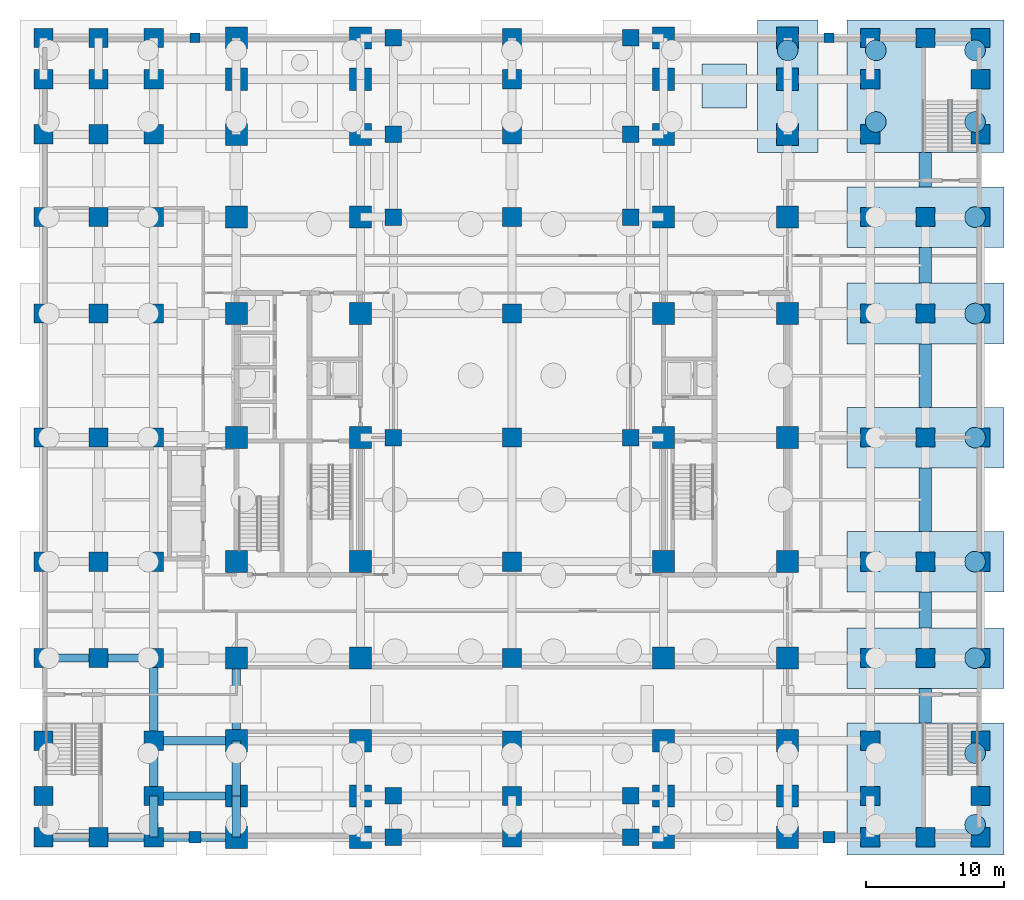
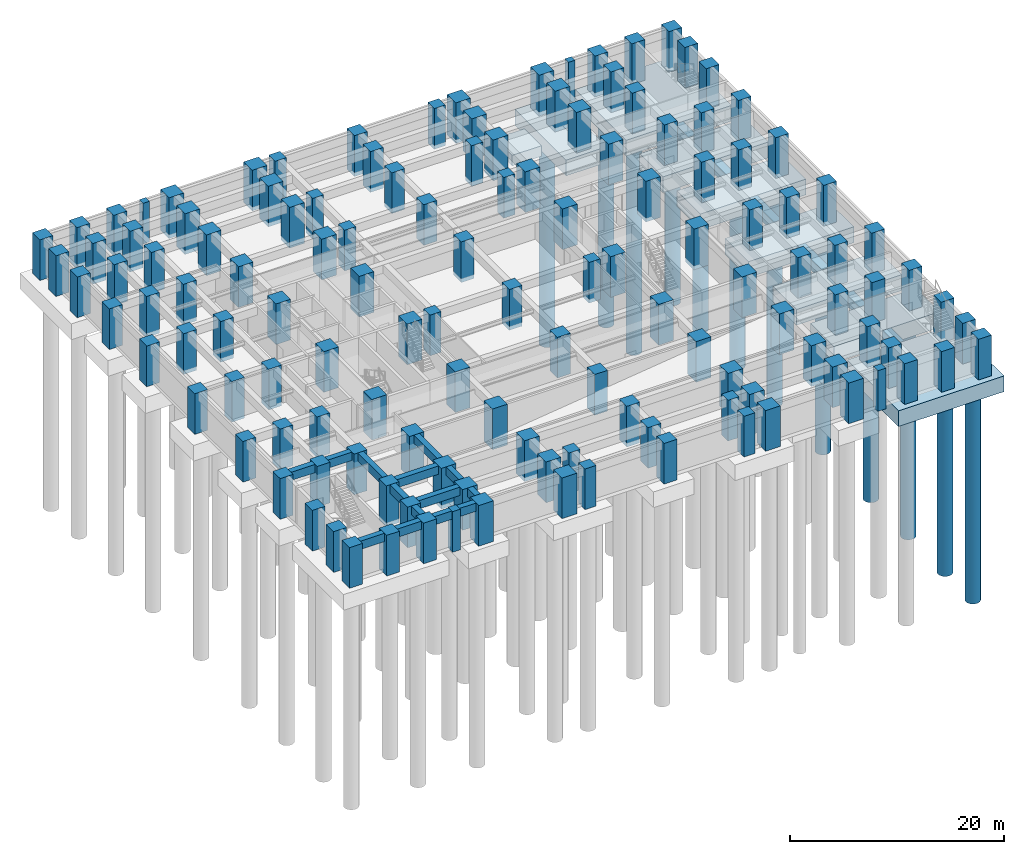
# One storey, part 2 of 16: 131 columns, 15 footings, 13 beams, 12 piles.
"""IFC4 building model written with IfcOpenShell, lengths in metres."""

from ifc_helpers import new_model, si_unit, direction, frame, origin, origin_2d, place, context, subcontext, project, spatial, polyline, rectangle, circle, outline, extrude, material, material_profile, profile_set, type_object, element, save


model = new_model("IFC4")

# Units and contexts
model_context = context("Model", 3, precision=1e-05, world=origin(), true_north=direction((0.0, 1.0)))
body_context = subcontext(model_context, "Body", "Model", "MODEL_VIEW")
ifc_project = project(units=[si_unit("LENGTHUNIT", "METRE"), si_unit("AREAUNIT", "SQUARE_METRE"), si_unit("VOLUMEUNIT", "CUBIC_METRE"), si_unit("PLANEANGLEUNIT", "RADIAN"), si_unit("MASSUNIT", "GRAM", prefix="KILO")], contexts=[model_context])

# Site, building, storey
site_placement = place(None, origin())
site = spatial("IfcSite", under=ifc_project, at=site_placement, CompositionType="ELEMENT")
building_placement = place(site_placement, origin())
building = spatial("IfcBuilding", under=site, at=building_placement, Name="Zulmaris Gate Convention Tower", CompositionType="ELEMENT")
storey_placement = place(building_placement, frame((0.0, 0.0, -9.10009765625)))
storey = spatial("IfcBuildingStorey", under=building, at=storey_placement, Name="B2", CompositionType="ELEMENT", Elevation=-9.10009765625)

# Footings
ifc_material_1 = material(Name="Concrete C50/60", Category="concrete")
ifc_material_profile_1 = material_profile(ifc_material_1, rectangle(XDim=0.89990234375, YDim=1.199951171875, at=origin_2d()), Name="RC TIE 900x1200")
ifc_profile_set_1 = profile_set([ifc_material_profile_1], Name="Concrete C50/60")
footing_type_1 = type_object("IfcFootingType", Name="FT-GB-900x1200", PredefinedType="FOOTING_BEAM", material=ifc_profile_set_1)
footing_1_placement = place(storey_placement, frame((30.0, -20.699951171875, -1.0498046875), z_axis=(0.0, 1.0, 0.0), x_axis=(-1.0, 0.0, 0.0)))
element("IfcFooting", 1, at=footing_1_placement, inside=storey, type_object=footing_type_1, Name="Ground Tie Beam 07", PredefinedType="FOOTING_BEAM", context=body_context, shape_type="SweptSolid", body=[
    extrude(rectangle(XDim=0.89990234375, YDim=1.199951171875, at=origin_2d()), origin(), (0.0, 0.0, 1.0), 2.5),
])
footing_2_placement = place(storey_placement, frame((30.0, -13.800048828125, -1.0498046875), z_axis=(0.0, 1.0, 0.0), x_axis=(-1.0, 0.0, 0.0)))
element("IfcFooting", 2, at=footing_2_placement, inside=storey, type_object=footing_type_1, Name="Ground Tie Beam 08", PredefinedType="FOOTING_BEAM", context=body_context, shape_type="SweptSolid", body=[
    extrude(rectangle(XDim=0.89990234375, YDim=1.199951171875, at=origin_2d()), origin(), (0.0, 0.0, 1.0), 2.60009765625),
])
for number, where, z_axis, x_axis, name in (
    (3, (30.0, -6.800048828125, -1.0498046875), (0.0, 1.0, 0.0), (-1.0, 0.0, 0.0), "Ground Tie Beam 09"),
    (4, (30.0, 2.199951171875, -1.0498046875), (0.0, 1.0, 0.0), (-1.0, 0.0, 0.0), "Ground Tie Beam 10"),
):
    element("IfcFooting", number, at=place(storey_placement, frame(where, z_axis=z_axis, x_axis=x_axis)), inside=storey, type_object=footing_type_1, Name=name, PredefinedType="FOOTING_BEAM", context=body_context, shape_type="SweptSolid", body=[
        extrude(rectangle(XDim=0.89990234375, YDim=1.199951171875, at=origin_2d()), origin(), (0.0, 0.0, 1.0), 4.60009765625),
    ])
footing_3_placement = place(storey_placement, frame((30.0, 11.199951171875, -1.0498046875), z_axis=(0.0, 1.0, 0.0), x_axis=(-1.0, 0.0, 0.0)))
element("IfcFooting", 5, at=footing_3_placement, inside=storey, type_object=footing_type_1, Name="Ground Tie Beam 11", PredefinedType="FOOTING_BEAM", context=body_context, shape_type="SweptSolid", body=[
    extrude(rectangle(XDim=0.89990234375, YDim=1.199951171875, at=origin_2d()), origin(), (0.0, 0.0, 1.0), 2.60009765625),
])
footing_4_placement = place(storey_placement, frame((30.0, 18.199951171875, -1.0498046875), z_axis=(0.0, 1.0, 0.0), x_axis=(-1.0, 0.0, 0.0)))
element("IfcFooting", 6, at=footing_4_placement, inside=storey, type_object=footing_type_1, Name="Ground Tie Beam 12", PredefinedType="FOOTING_BEAM", context=body_context, shape_type="SweptSolid", body=[
    extrude(rectangle(XDim=0.89990234375, YDim=1.199951171875, at=origin_2d()), origin(), (0.0, 0.0, 1.0), 2.5),
])
footing_type_2 = type_object("IfcFootingType", Name="FT-PC-A", PredefinedType="PILE_CAP", material=ifc_material_1)
footing_5_placement = place(storey_placement, frame((0.0, 0.0, -2.25)))
element("IfcFooting", 7, at=footing_5_placement, inside=storey, type_object=footing_type_2, Name="Perimeter Pile Cap FT-PC-E1", PredefinedType="PILE_CAP", context=body_context, shape_type="SweptSolid", body=[
    extrude(outline(polyline([(24.300048828125, -18.199951171875), (35.699951171875, -18.199951171875), (35.699951171875, -13.800048828125), (24.300048828125, -13.800048828125), (24.300048828125, -18.199951171875)])), origin(), (0.0, 0.0, 1.0), 1.800048828125),
])
footing_6_placement = place(storey_placement, frame((0.0, 0.0, -2.25)))
element("IfcFooting", 8, at=footing_6_placement, inside=storey, type_object=footing_type_2, Name="Perimeter Pile Cap FT-PC-E2", PredefinedType="PILE_CAP", context=body_context, shape_type="SweptSolid", body=[
    extrude(outline(polyline([(24.300048828125, -11.199951171875), (35.699951171875, -11.199951171875), (35.699951171875, -6.800048828125), (24.300048828125, -6.800048828125), (24.300048828125, -11.199951171875)])), origin(), (0.0, 0.0, 1.0), 1.800048828125),
])
footing_7_placement = place(storey_placement, frame((0.0, 0.0, -2.25)))
element("IfcFooting", 9, at=footing_7_placement, inside=storey, type_object=footing_type_2, Name="Perimeter Pile Cap FT-PC-E3", PredefinedType="PILE_CAP", context=body_context, shape_type="SweptSolid", body=[
    extrude(outline(polyline([(24.300048828125, -2.199951171875), (35.699951171875, -2.199951171875), (35.699951171875, 2.199951171875), (24.300048828125, 2.199951171875), (24.300048828125, -2.199951171875)])), origin(), (0.0, 0.0, 1.0), 1.800048828125),
])
footing_8_placement = place(storey_placement, frame((0.0, 0.0, -2.25)))
element("IfcFooting", 10, at=footing_8_placement, inside=storey, type_object=footing_type_2, Name="Perimeter Pile Cap FT-PC-E4", PredefinedType="PILE_CAP", context=body_context, shape_type="SweptSolid", body=[
    extrude(outline(polyline([(24.300048828125, 6.800048828125), (35.699951171875, 6.800048828125), (35.699951171875, 11.199951171875), (24.300048828125, 11.199951171875), (24.300048828125, 6.800048828125)])), origin(), (0.0, 0.0, 1.0), 1.800048828125),
])
footing_9_placement = place(storey_placement, frame((0.0, 0.0, -2.25)))
element("IfcFooting", 11, at=footing_9_placement, inside=storey, type_object=footing_type_2, Name="Perimeter Pile Cap FT-PC-E5", PredefinedType="PILE_CAP", context=body_context, shape_type="SweptSolid", body=[
    extrude(outline(polyline([(24.300048828125, 13.800048828125), (35.699951171875, 13.800048828125), (35.699951171875, 18.199951171875), (24.300048828125, 18.199951171875), (24.300048828125, 13.800048828125)])), origin(), (0.0, 0.0, 1.0), 1.800048828125),
])
footing_type_3 = type_object("IfcFootingType", Name="FT-PC-B", PredefinedType="PILE_CAP", material=ifc_material_1)
footing_10_placement = place(storey_placement, frame((0.0, 0.0, -2.25)))
element("IfcFooting", 12, at=footing_10_placement, inside=storey, type_object=footing_type_3, Name="Perimeter Pile Cap FT-PC-N5", PredefinedType="PILE_CAP", context=body_context, shape_type="SweptSolid", body=[
    extrude(outline(polyline([(17.800048828125, 20.699951171875), (22.199951171875, 20.699951171875), (22.199951171875, 30.300048828125), (17.800048828125, 30.300048828125), (17.800048828125, 20.699951171875)])), origin(), (0.0, 0.0, 1.0), 1.800048828125),
])
footing_type_4 = type_object("IfcFootingType", Name="FT-PC-CRN", PredefinedType="PILE_CAP", material=ifc_material_1)
footing_11_placement = place(storey_placement, frame((0.0, 0.0, -2.25)))
element("IfcFooting", 13, at=footing_11_placement, inside=storey, type_object=footing_type_4, Name="Perimeter Pile Cap FT-PC-ES", PredefinedType="PILE_CAP", context=body_context, shape_type="SweptSolid", body=[
    extrude(outline(polyline([(24.300048828125, -30.300048828125), (35.699951171875, -30.300048828125), (35.699951171875, -20.699951171875), (24.300048828125, -20.699951171875), (24.300048828125, -30.300048828125)])), origin(), (0.0, 0.0, 1.0), 1.800048828125),
])
footing_12_placement = place(storey_placement, frame((0.0, 0.0, -2.25)))
element("IfcFooting", 14, at=footing_12_placement, inside=storey, type_object=footing_type_4, Name="Perimeter Pile Cap FT-PC-EN", PredefinedType="PILE_CAP", context=body_context, shape_type="SweptSolid", body=[
    extrude(outline(polyline([(24.300048828125, 20.699951171875), (35.699951171875, 20.699951171875), (35.699951171875, 30.300048828125), (24.300048828125, 30.300048828125), (24.300048828125, 20.699951171875)])), origin(), (0.0, 0.0, 1.0), 1.800048828125),
])
footing_type_5 = type_object("IfcFootingType", Name="FT-PF-A", PredefinedType="PAD_FOOTING", material=ifc_material_1)
footing_13_placement = place(storey_placement, frame((0.0, 0.0, -1.64990234375)))
element("IfcFooting", 15, at=footing_13_placement, inside=storey, type_object=footing_type_5, Name="Isolated Pad Footing FT-PAD-02", PredefinedType="PAD_FOOTING", context=body_context, shape_type="SweptSolid", body=[
    extrude(outline(polyline([(13.800048828125, 23.89990234375), (17.0, 23.89990234375), (17.0, 27.10009765625), (13.800048828125, 27.10009765625), (13.800048828125, 23.89990234375)])), origin(), (0.0, 0.0, 1.0), 1.199951171875),
])

# Piles
ifc_material_profile_2 = material_profile(ifc_material_1, circle(Radius=0.75, at=origin_2d()), Name="BORED PILE 1500")
ifc_profile_set_2 = profile_set([ifc_material_profile_2], Name="Concrete C50/60")
pile_type = type_object("IfcPileType", Name="PL-BP1500", PredefinedType="BORED", material=ifc_profile_set_2)
for number, where, z_axis, x_axis, name in (
    (16, (33.60009765625, -28.10009765625, -2.14990234375), (0.0, 0.0, -1.0), (1.0, 0.0, 0.0), "Cap Bored Pile FT-PC-ES-P2"),
    (17, (33.60009765625, -22.89990234375, -2.14990234375), (0.0, 0.0, -1.0), (1.0, 0.0, 0.0), "Cap Bored Pile FT-PC-ES-P4"),
    (18, (26.39990234375, 22.89990234375, -2.14990234375), (0.0, 0.0, -1.0), (1.0, 0.0, 0.0), "Cap Bored Pile FT-PC-EN-P1"),
    (19, (33.60009765625, 22.89990234375, -2.14990234375), (0.0, 0.0, -1.0), (1.0, 0.0, 0.0), "Cap Bored Pile FT-PC-EN-P2"),
    (20, (26.39990234375, 28.10009765625, -2.14990234375), (0.0, 0.0, -1.0), (1.0, 0.0, 0.0), "Cap Bored Pile FT-PC-EN-P3"),
    (21, (33.60009765625, 28.10009765625, -2.14990234375), (0.0, 0.0, -1.0), (1.0, 0.0, 0.0), "Cap Bored Pile FT-PC-EN-P4"),
    (22, (33.60009765625, -16.0, -2.14990234375), (0.0, 0.0, -1.0), (1.0, 0.0, 0.0), "Cap Bored Pile FT-PC-E1-P2"),
    (23, (33.60009765625, -9.0, -2.14990234375), (0.0, 0.0, -1.0), (1.0, 0.0, 0.0), "Cap Bored Pile FT-PC-E2-P2"),
    (24, (33.60009765625, 0.0, -2.14990234375), (0.0, 0.0, -1.0), (1.0, 0.0, 0.0), "Cap Bored Pile FT-PC-E3-P2"),
    (25, (33.60009765625, 9.0, -2.14990234375), (0.0, 0.0, -1.0), (1.0, 0.0, 0.0), "Cap Bored Pile FT-PC-E4-P2"),
    (26, (33.60009765625, 16.0, -2.14990234375), (0.0, 0.0, -1.0), (1.0, 0.0, 0.0), "Cap Bored Pile FT-PC-E5-P2"),
    (27, (20.0, 28.10009765625, -2.14990234375), (0.0, 0.0, -1.0), (1.0, 0.0, 0.0), "Cap Bored Pile FT-PC-N5-P2"),
):
    element("IfcPile", number, at=place(storey_placement, frame(where, z_axis=z_axis, x_axis=x_axis)), inside=storey, type_object=pile_type, Name=name, PredefinedType="BORED", context=body_context, shape_type="SweptSolid", body=[
        extrude(circle(Radius=0.75, at=origin_2d()), origin(), (0.0, 0.0, 1.0), 24.449951171875),
    ])

# Columns
ifc_material_2 = material(Name="Concrete C70/85", Category="concrete")
ifc_material_profile_3 = material_profile(ifc_material_2, rectangle(XDim=1.199951171875, YDim=1.199951171875, at=origin_2d()), Name="RC COL 1200x1200")
ifc_profile_set_3 = profile_set([ifc_material_profile_3], Name="Concrete C70/85")
column_type_1 = type_object("IfcColumnType", Name="COL-RC1200", PredefinedType="COLUMN", material=ifc_profile_set_3)
for number, where, z_axis, x_axis, name in (
    (28, (-8.60009765625, -29.0, -0.449951171875), (0.0, 0.0, 1.0), (1.0, 0.0, 0.0), "B2 Column AR--8.6_-29.0"),
    (29, (8.60009765625, -29.0, -0.449951171875), (0.0, 0.0, 1.0), (1.0, 0.0, 0.0), "B2 Column AR-+8.6_-29.0"),
    (30, (-8.60009765625, -26.0, -0.449951171875), (0.0, 0.0, 1.0), (1.0, 0.0, 0.0), "B2 Column AR--8.6_-26.0"),
    (31, (8.60009765625, -26.0, -0.449951171875), (0.0, 0.0, 1.0), (1.0, 0.0, 0.0), "B2 Column AR-+8.6_-26.0"),
    (32, (-8.60009765625, 0.0, -0.449951171875), (0.0, 0.0, 1.0), (1.0, 0.0, 0.0), "B2 Column AR--8.6_+0.0"),
    (33, (8.60009765625, 0.0, -0.449951171875), (0.0, 0.0, 1.0), (1.0, 0.0, 0.0), "B2 Column AR-+8.6_+0.0"),
    (34, (-8.60009765625, 16.0, -0.449951171875), (0.0, 0.0, 1.0), (1.0, 0.0, 0.0), "B2 Column AR--8.6_+16.0"),
    (35, (8.60009765625, 16.0, -0.449951171875), (0.0, 0.0, 1.0), (1.0, 0.0, 0.0), "B2 Column AR-+8.6_+16.0"),
    (36, (-8.60009765625, 22.0, -0.449951171875), (0.0, 0.0, 1.0), (1.0, 0.0, 0.0), "B2 Column AR--8.6_+22.0"),
    (37, (8.60009765625, 22.0, -0.449951171875), (0.0, 0.0, 1.0), (1.0, 0.0, 0.0), "B2 Column AR-+8.6_+22.0"),
    (38, (-8.60009765625, 29.0, -0.449951171875), (0.0, 0.0, 1.0), (1.0, 0.0, 0.0), "B2 Column AR--8.6_+29.0"),
    (39, (8.60009765625, 29.0, -0.449951171875), (0.0, 0.0, 1.0), (1.0, 0.0, 0.0), "B2 Column AR-+8.6_+29.0"),
):
    element("IfcColumn", number, at=place(storey_placement, frame(where, z_axis=z_axis, x_axis=x_axis)), inside=storey, type_object=column_type_1, Name=name, PredefinedType="COLUMN", context=body_context, shape_type="SweptSolid", body=[
        extrude(rectangle(XDim=1.199951171875, YDim=1.199951171875, at=origin_2d()), origin(), (0.0, 0.0, 1.0), 4.650146484375),
    ])
ifc_material_3 = material(Name="Concrete C80/95", Category="concrete")
ifc_material_profile_4 = material_profile(ifc_material_3, rectangle(XDim=1.39990234375, YDim=1.39990234375, at=origin_2d()), Name="RC COL 1400x1400")
ifc_profile_set_4 = profile_set([ifc_material_profile_4], Name="Concrete C80/95")
column_type_2 = type_object("IfcColumnType", Name="COL-RC1400", PredefinedType="COLUMN", material=ifc_profile_set_4)
for number, where, z_axis, x_axis, name in (
    (40, (-34.0, -29.0, -0.449951171875), (0.0, 0.0, 1.0), (1.0, 0.0, 0.0), "B2 Column G--34.0_-29.0"),
    (41, (-34.0, -26.0, -0.449951171875), (0.0, 0.0, 1.0), (1.0, 0.0, 0.0), "B2 Column G--34.0_-26.0"),
    (42, (-34.0, -22.0, -0.449951171875), (0.0, 0.0, 1.0), (1.0, 0.0, 0.0), "B2 Column G--34.0_-22.0"),
    (43, (-34.0, -16.0, -0.449951171875), (0.0, 0.0, 1.0), (1.0, 0.0, 0.0), "B2 Column G--34.0_-16.0"),
    (44, (-34.0, -9.0, -0.449951171875), (0.0, 0.0, 1.0), (1.0, 0.0, 0.0), "B2 Column G--34.0_-9.0"),
    (45, (-34.0, 0.0, -0.449951171875), (0.0, 0.0, 1.0), (1.0, 0.0, 0.0), "B2 Column G--34.0_+0.0"),
    (46, (-34.0, 9.0, -0.449951171875), (0.0, 0.0, 1.0), (1.0, 0.0, 0.0), "B2 Column G--34.0_+9.0"),
    (47, (-34.0, 16.0, -0.449951171875), (0.0, 0.0, 1.0), (1.0, 0.0, 0.0), "B2 Column G--34.0_+16.0"),
    (48, (-34.0, 22.0, -0.449951171875), (0.0, 0.0, 1.0), (1.0, 0.0, 0.0), "B2 Column G--34.0_+22.0"),
    (49, (-34.0, 26.0, -0.449951171875), (0.0, 0.0, 1.0), (1.0, 0.0, 0.0), "B2 Column G--34.0_+26.0"),
    (50, (-34.0, 29.0, -0.449951171875), (0.0, 0.0, 1.0), (1.0, 0.0, 0.0), "B2 Column G--34.0_+29.0"),
    (51, (-30.0, -29.0, -0.449951171875), (0.0, 0.0, 1.0), (1.0, 0.0, 0.0), "B2 Column G--30.0_-29.0"),
    (52, (-30.0, -16.0, -0.449951171875), (0.0, 0.0, 1.0), (1.0, 0.0, 0.0), "B2 Column G--30.0_-16.0"),
    (53, (-30.0, -9.0, -0.449951171875), (0.0, 0.0, 1.0), (1.0, 0.0, 0.0), "B2 Column G--30.0_-9.0"),
    (54, (-30.0, 0.0, -0.449951171875), (0.0, 0.0, 1.0), (1.0, 0.0, 0.0), "B2 Column G--30.0_+0.0"),
    (55, (-30.0, 9.0, -0.449951171875), (0.0, 0.0, 1.0), (1.0, 0.0, 0.0), "B2 Column G--30.0_+9.0"),
    (56, (-30.0, 16.0, -0.449951171875), (0.0, 0.0, 1.0), (1.0, 0.0, 0.0), "B2 Column G--30.0_+16.0"),
    (57, (-30.0, 22.0, -0.449951171875), (0.0, 0.0, 1.0), (1.0, 0.0, 0.0), "B2 Column G--30.0_+22.0"),
    (58, (-30.0, 26.0, -0.449951171875), (0.0, 0.0, 1.0), (1.0, 0.0, 0.0), "B2 Column G--30.0_+26.0"),
    (59, (-30.0, 29.0, -0.449951171875), (0.0, 0.0, 1.0), (1.0, 0.0, 0.0), "B2 Column G--30.0_+29.0"),
    (60, (-26.0, -29.0, -0.449951171875), (0.0, 0.0, 1.0), (1.0, 0.0, 0.0), "B2 Column G--26.0_-29.0"),
    (61, (-26.0, -26.0, -0.449951171875), (0.0, 0.0, 1.0), (1.0, 0.0, 0.0), "B2 Column G--26.0_-26.0"),
    (62, (-26.0, -22.0, -0.449951171875), (0.0, 0.0, 1.0), (1.0, 0.0, 0.0), "B2 Column G--26.0_-22.0"),
    (63, (-26.0, -16.0, -0.449951171875), (0.0, 0.0, 1.0), (1.0, 0.0, 0.0), "B2 Column G--26.0_-16.0"),
    (64, (-26.0, -9.0, -0.449951171875), (0.0, 0.0, 1.0), (1.0, 0.0, 0.0), "B2 Column G--26.0_-9.0"),
    (65, (-26.0, 0.0, -0.449951171875), (0.0, 0.0, 1.0), (1.0, 0.0, 0.0), "B2 Column G--26.0_+0.0"),
    (66, (-26.0, 9.0, -0.449951171875), (0.0, 0.0, 1.0), (1.0, 0.0, 0.0), "B2 Column G--26.0_+9.0"),
    (67, (-26.0, 16.0, -0.449951171875), (0.0, 0.0, 1.0), (1.0, 0.0, 0.0), "B2 Column G--26.0_+16.0"),
    (68, (-26.0, 22.0, -0.449951171875), (0.0, 0.0, 1.0), (1.0, 0.0, 0.0), "B2 Column G--26.0_+22.0"),
    (69, (-26.0, 26.0, -0.449951171875), (0.0, 0.0, 1.0), (1.0, 0.0, 0.0), "B2 Column G--26.0_+26.0"),
    (70, (-26.0, 29.0, -0.449951171875), (0.0, 0.0, 1.0), (1.0, 0.0, 0.0), "B2 Column G--26.0_+29.0"),
    (71, (0.0, -29.0, -0.449951171875), (0.0, 0.0, 1.0), (1.0, 0.0, 0.0), "B2 Column G-+0.0_-29.0"),
    (72, (0.0, -26.0, -0.449951171875), (0.0, 0.0, 1.0), (1.0, 0.0, 0.0), "B2 Column G-+0.0_-26.0"),
    (73, (0.0, -22.0, -0.449951171875), (0.0, 0.0, 1.0), (1.0, 0.0, 0.0), "B2 Column G-+0.0_-22.0"),
    (74, (0.0, -16.0, -0.449951171875), (0.0, 0.0, 1.0), (1.0, 0.0, 0.0), "B2 Column G-+0.0_-16.0"),
    (75, (0.0, -9.0, -0.449951171875), (0.0, 0.0, 1.0), (1.0, 0.0, 0.0), "B2 Column G-+0.0_-9.0"),
    (76, (0.0, 0.0, -0.449951171875), (0.0, 0.0, 1.0), (1.0, 0.0, 0.0), "B2 Column G-+0.0_+0.0"),
    (77, (0.0, 9.0, -0.449951171875), (0.0, 0.0, 1.0), (1.0, 0.0, 0.0), "B2 Column G-+0.0_+9.0"),
    (78, (0.0, 16.0, -0.449951171875), (0.0, 0.0, 1.0), (1.0, 0.0, 0.0), "B2 Column G-+0.0_+16.0"),
    (79, (0.0, 22.0, -0.449951171875), (0.0, 0.0, 1.0), (1.0, 0.0, 0.0), "B2 Column G-+0.0_+22.0"),
    (80, (0.0, 26.0, -0.449951171875), (0.0, 0.0, 1.0), (1.0, 0.0, 0.0), "B2 Column G-+0.0_+26.0"),
    (81, (0.0, 29.0, -0.449951171875), (0.0, 0.0, 1.0), (1.0, 0.0, 0.0), "B2 Column G-+0.0_+29.0"),
    (82, (26.0, -29.0, -0.449951171875), (0.0, 0.0, 1.0), (1.0, 0.0, 0.0), "B2 Column G-+26.0_-29.0"),
    (83, (26.0, -26.0, -0.449951171875), (0.0, 0.0, 1.0), (1.0, 0.0, 0.0), "B2 Column G-+26.0_-26.0"),
    (84, (26.0, -22.0, -0.449951171875), (0.0, 0.0, 1.0), (1.0, 0.0, 0.0), "B2 Column G-+26.0_-22.0"),
    (85, (26.0, -16.0, -0.449951171875), (0.0, 0.0, 1.0), (1.0, 0.0, 0.0), "B2 Column G-+26.0_-16.0"),
    (86, (26.0, -9.0, -0.449951171875), (0.0, 0.0, 1.0), (1.0, 0.0, 0.0), "B2 Column G-+26.0_-9.0"),
    (87, (26.0, 0.0, -0.449951171875), (0.0, 0.0, 1.0), (1.0, 0.0, 0.0), "B2 Column G-+26.0_+0.0"),
    (88, (26.0, 9.0, -0.449951171875), (0.0, 0.0, 1.0), (1.0, 0.0, 0.0), "B2 Column G-+26.0_+9.0"),
    (89, (26.0, 16.0, -0.449951171875), (0.0, 0.0, 1.0), (1.0, 0.0, 0.0), "B2 Column G-+26.0_+16.0"),
    (90, (26.0, 22.0, -0.449951171875), (0.0, 0.0, 1.0), (1.0, 0.0, 0.0), "B2 Column G-+26.0_+22.0"),
    (91, (26.0, 26.0, -0.449951171875), (0.0, 0.0, 1.0), (1.0, 0.0, 0.0), "B2 Column G-+26.0_+26.0"),
    (92, (26.0, 29.0, -0.449951171875), (0.0, 0.0, 1.0), (1.0, 0.0, 0.0), "B2 Column G-+26.0_+29.0"),
    (93, (30.0, -29.0, -0.449951171875), (0.0, 0.0, 1.0), (1.0, 0.0, 0.0), "B2 Column G-+30.0_-29.0"),
    (94, (30.0, -16.0, -0.449951171875), (0.0, 0.0, 1.0), (1.0, 0.0, 0.0), "B2 Column G-+30.0_-16.0"),
    (95, (30.0, -9.0, -0.449951171875), (0.0, 0.0, 1.0), (1.0, 0.0, 0.0), "B2 Column G-+30.0_-9.0"),
    (96, (30.0, 0.0, -0.449951171875), (0.0, 0.0, 1.0), (1.0, 0.0, 0.0), "B2 Column G-+30.0_+0.0"),
    (97, (30.0, 9.0, -0.449951171875), (0.0, 0.0, 1.0), (1.0, 0.0, 0.0), "B2 Column G-+30.0_+9.0"),
    (98, (30.0, 16.0, -0.449951171875), (0.0, 0.0, 1.0), (1.0, 0.0, 0.0), "B2 Column G-+30.0_+16.0"),
    (99, (30.0, 29.0, -0.449951171875), (0.0, 0.0, 1.0), (1.0, 0.0, 0.0), "B2 Column G-+30.0_+29.0"),
    (100, (34.0, -29.0, -0.449951171875), (0.0, 0.0, 1.0), (1.0, 0.0, 0.0), "B2 Column G-+34.0_-29.0"),
    (101, (34.0, -26.0, -0.449951171875), (0.0, 0.0, 1.0), (1.0, 0.0, 0.0), "B2 Column G-+34.0_-26.0"),
    (102, (34.0, -22.0, -0.449951171875), (0.0, 0.0, 1.0), (1.0, 0.0, 0.0), "B2 Column G-+34.0_-22.0"),
    (103, (34.0, -16.0, -0.449951171875), (0.0, 0.0, 1.0), (1.0, 0.0, 0.0), "B2 Column G-+34.0_-16.0"),
    (104, (34.0, -9.0, -0.449951171875), (0.0, 0.0, 1.0), (1.0, 0.0, 0.0), "B2 Column G-+34.0_-9.0"),
    (105, (34.0, 0.0, -0.449951171875), (0.0, 0.0, 1.0), (1.0, 0.0, 0.0), "B2 Column G-+34.0_+0.0"),
    (106, (34.0, 9.0, -0.449951171875), (0.0, 0.0, 1.0), (1.0, 0.0, 0.0), "B2 Column G-+34.0_+9.0"),
    (107, (34.0, 16.0, -0.449951171875), (0.0, 0.0, 1.0), (1.0, 0.0, 0.0), "B2 Column G-+34.0_+16.0"),
    (108, (34.0, 22.0, -0.449951171875), (0.0, 0.0, 1.0), (1.0, 0.0, 0.0), "B2 Column G-+34.0_+22.0"),
    (109, (34.0, 26.0, -0.449951171875), (0.0, 0.0, 1.0), (1.0, 0.0, 0.0), "B2 Column G-+34.0_+26.0"),
    (110, (34.0, 29.0, -0.449951171875), (0.0, 0.0, 1.0), (1.0, 0.0, 0.0), "B2 Column G-+34.0_+29.0"),
):
    element("IfcColumn", number, at=place(storey_placement, frame(where, z_axis=z_axis, x_axis=x_axis)), inside=storey, type_object=column_type_2, Name=name, PredefinedType="COLUMN", context=body_context, shape_type="SweptSolid", body=[
        extrude(rectangle(XDim=1.39990234375, YDim=1.39990234375, at=origin_2d()), origin(), (0.0, 0.0, 1.0), 4.650146484375),
    ])
ifc_material_profile_5 = material_profile(ifc_material_3, rectangle(XDim=1.60009765625, YDim=1.60009765625, at=origin_2d()), Name="RC COL 1600x1600")
ifc_profile_set_5 = profile_set([ifc_material_profile_5], Name="Concrete C80/95")
column_type_3 = type_object("IfcColumnType", Name="COL-RC1600", PredefinedType="COLUMN", material=ifc_profile_set_5)
for number, where, z_axis, x_axis, name in (
    (111, (-20.0, -29.0, -0.449951171875), (0.0, 0.0, 1.0), (1.0, 0.0, 0.0), "B2 Column G--20.0_-29.0"),
    (112, (-20.0, -26.0, -0.449951171875), (0.0, 0.0, 1.0), (1.0, 0.0, 0.0), "B2 Column G--20.0_-26.0"),
    (113, (-20.0, -22.0, -0.449951171875), (0.0, 0.0, 1.0), (1.0, 0.0, 0.0), "B2 Column G--20.0_-22.0"),
    (114, (-20.0, -16.0, -0.449951171875), (0.0, 0.0, 1.0), (1.0, 0.0, 0.0), "B2 Column G--20.0_-16.0"),
    (115, (-20.0, -9.0, -0.449951171875), (0.0, 0.0, 1.0), (1.0, 0.0, 0.0), "B2 Column G--20.0_-9.0"),
    (116, (-20.0, 0.0, -0.449951171875), (0.0, 0.0, 1.0), (1.0, 0.0, 0.0), "B2 Column G--20.0_+0.0"),
    (117, (-20.0, 9.0, -0.449951171875), (0.0, 0.0, 1.0), (1.0, 0.0, 0.0), "B2 Column G--20.0_+9.0"),
    (118, (-20.0, 16.0, -0.449951171875), (0.0, 0.0, 1.0), (1.0, 0.0, 0.0), "B2 Column G--20.0_+16.0"),
    (119, (-20.0, 22.0, -0.449951171875), (0.0, 0.0, 1.0), (1.0, 0.0, 0.0), "B2 Column G--20.0_+22.0"),
    (120, (-20.0, 26.0, -0.449951171875), (0.0, 0.0, 1.0), (1.0, 0.0, 0.0), "B2 Column G--20.0_+26.0"),
    (121, (-20.0, 29.0, -0.449951171875), (0.0, 0.0, 1.0), (1.0, 0.0, 0.0), "B2 Column G--20.0_+29.0"),
    (122, (-11.0, -29.0, -0.449951171875), (0.0, 0.0, 1.0), (1.0, 0.0, 0.0), "B2 Column G--11.0_-29.0"),
    (123, (-11.0, -26.0, -0.449951171875), (0.0, 0.0, 1.0), (1.0, 0.0, 0.0), "B2 Column G--11.0_-26.0"),
    (124, (-11.0, -22.0, -0.449951171875), (0.0, 0.0, 1.0), (1.0, 0.0, 0.0), "B2 Column G--11.0_-22.0"),
    (125, (-11.0, -16.0, -0.449951171875), (0.0, 0.0, 1.0), (1.0, 0.0, 0.0), "B2 Column G--11.0_-16.0"),
    (126, (-11.0, -9.0, -0.449951171875), (0.0, 0.0, 1.0), (1.0, 0.0, 0.0), "B2 Column G--11.0_-9.0"),
    (127, (-11.0, 0.0, -0.449951171875), (0.0, 0.0, 1.0), (1.0, 0.0, 0.0), "B2 Column G--11.0_+0.0"),
    (128, (-11.0, 9.0, -0.449951171875), (0.0, 0.0, 1.0), (1.0, 0.0, 0.0), "B2 Column G--11.0_+9.0"),
    (129, (-11.0, 16.0, -0.449951171875), (0.0, 0.0, 1.0), (1.0, 0.0, 0.0), "B2 Column G--11.0_+16.0"),
    (130, (-11.0, 22.0, -0.449951171875), (0.0, 0.0, 1.0), (1.0, 0.0, 0.0), "B2 Column G--11.0_+22.0"),
    (131, (-11.0, 26.0, -0.449951171875), (0.0, 0.0, 1.0), (1.0, 0.0, 0.0), "B2 Column G--11.0_+26.0"),
    (132, (-11.0, 29.0, -0.449951171875), (0.0, 0.0, 1.0), (1.0, 0.0, 0.0), "B2 Column G--11.0_+29.0"),
    (133, (11.0, -29.0, -0.449951171875), (0.0, 0.0, 1.0), (1.0, 0.0, 0.0), "B2 Column G-+11.0_-29.0"),
    (134, (11.0, -26.0, -0.449951171875), (0.0, 0.0, 1.0), (1.0, 0.0, 0.0), "B2 Column G-+11.0_-26.0"),
    (135, (11.0, -22.0, -0.449951171875), (0.0, 0.0, 1.0), (1.0, 0.0, 0.0), "B2 Column G-+11.0_-22.0"),
    (136, (11.0, -16.0, -0.449951171875), (0.0, 0.0, 1.0), (1.0, 0.0, 0.0), "B2 Column G-+11.0_-16.0"),
    (137, (11.0, -9.0, -0.449951171875), (0.0, 0.0, 1.0), (1.0, 0.0, 0.0), "B2 Column G-+11.0_-9.0"),
    (138, (11.0, 0.0, -0.449951171875), (0.0, 0.0, 1.0), (1.0, 0.0, 0.0), "B2 Column G-+11.0_+0.0"),
    (139, (11.0, 9.0, -0.449951171875), (0.0, 0.0, 1.0), (1.0, 0.0, 0.0), "B2 Column G-+11.0_+9.0"),
    (140, (11.0, 16.0, -0.449951171875), (0.0, 0.0, 1.0), (1.0, 0.0, 0.0), "B2 Column G-+11.0_+16.0"),
    (141, (11.0, 22.0, -0.449951171875), (0.0, 0.0, 1.0), (1.0, 0.0, 0.0), "B2 Column G-+11.0_+22.0"),
    (142, (11.0, 26.0, -0.449951171875), (0.0, 0.0, 1.0), (1.0, 0.0, 0.0), "B2 Column G-+11.0_+26.0"),
    (143, (11.0, 29.0, -0.449951171875), (0.0, 0.0, 1.0), (1.0, 0.0, 0.0), "B2 Column G-+11.0_+29.0"),
    (144, (20.0, -29.0, -0.449951171875), (0.0, 0.0, 1.0), (1.0, 0.0, 0.0), "B2 Column G-+20.0_-29.0"),
    (145, (20.0, -26.0, -0.449951171875), (0.0, 0.0, 1.0), (1.0, 0.0, 0.0), "B2 Column G-+20.0_-26.0"),
    (146, (20.0, -22.0, -0.449951171875), (0.0, 0.0, 1.0), (1.0, 0.0, 0.0), "B2 Column G-+20.0_-22.0"),
    (147, (20.0, -16.0, -0.449951171875), (0.0, 0.0, 1.0), (1.0, 0.0, 0.0), "B2 Column G-+20.0_-16.0"),
    (148, (20.0, -9.0, -0.449951171875), (0.0, 0.0, 1.0), (1.0, 0.0, 0.0), "B2 Column G-+20.0_-9.0"),
    (149, (20.0, 0.0, -0.449951171875), (0.0, 0.0, 1.0), (1.0, 0.0, 0.0), "B2 Column G-+20.0_+0.0"),
    (150, (20.0, 9.0, -0.449951171875), (0.0, 0.0, 1.0), (1.0, 0.0, 0.0), "B2 Column G-+20.0_+9.0"),
    (151, (20.0, 16.0, -0.449951171875), (0.0, 0.0, 1.0), (1.0, 0.0, 0.0), "B2 Column G-+20.0_+16.0"),
    (152, (20.0, 22.0, -0.449951171875), (0.0, 0.0, 1.0), (1.0, 0.0, 0.0), "B2 Column G-+20.0_+22.0"),
    (153, (20.0, 26.0, -0.449951171875), (0.0, 0.0, 1.0), (1.0, 0.0, 0.0), "B2 Column G-+20.0_+26.0"),
    (154, (20.0, 29.0, -0.449951171875), (0.0, 0.0, 1.0), (1.0, 0.0, 0.0), "B2 Column G-+20.0_+29.0"),
):
    element("IfcColumn", number, at=place(storey_placement, frame(where, z_axis=z_axis, x_axis=x_axis)), inside=storey, type_object=column_type_3, Name=name, PredefinedType="COLUMN", context=body_context, shape_type="SweptSolid", body=[
        extrude(rectangle(XDim=1.60009765625, YDim=1.60009765625, at=origin_2d()), origin(), (0.0, 0.0, 1.0), 4.650146484375),
    ])
ifc_material_4 = material(Name="Precast concrete C50/60", Category="concrete")
ifc_material_profile_6 = material_profile(ifc_material_4, rectangle(XDim=0.699951171875, YDim=0.699951171875, at=origin_2d()), Name="RC COL 700x700")
ifc_profile_set_6 = profile_set([ifc_material_profile_6], Name="Precast concrete C50/60")
column_type_4 = type_object("IfcColumnType", Name="PIL-RC700", PredefinedType="PILASTER", material=ifc_profile_set_6)
for number, where, z_axis, x_axis, name in (
    (155, (-23.0, 29.0, -0.449951171875), (0.0, 0.0, 1.0), (1.0, 0.0, 0.0), "B2 Pilaster PIL--23.0_+29.0"),
    (156, (23.0, 29.0, -0.449951171875), (0.0, 0.0, 1.0), (1.0, 0.0, 0.0), "B2 Pilaster PIL-+23.0_+29.0"),
):
    element("IfcColumn", number, at=place(storey_placement, frame(where, z_axis=z_axis, x_axis=x_axis)), inside=storey, type_object=column_type_4, Name=name, PredefinedType="PILASTER", context=body_context, shape_type="SweptSolid", body=[
        extrude(rectangle(XDim=0.699951171875, YDim=0.699951171875, at=origin_2d()), origin(), (0.0, 0.0, 1.0), 4.650146484375),
    ])
ifc_material_profile_7 = material_profile(ifc_material_4, rectangle(XDim=0.85009765625, YDim=0.85009765625, at=origin_2d()), Name="RC COL 850x850")
ifc_profile_set_7 = profile_set([ifc_material_profile_7], Name="Precast concrete C50/60")
column_type_5 = type_object("IfcColumnType", Name="PIL-RC850", PredefinedType="PILASTER", material=ifc_profile_set_7)
for number, where, z_axis, x_axis, name in (
    (157, (-23.0, -29.0, -0.449951171875), (0.0, 0.0, 1.0), (1.0, 0.0, 0.0), "B2 Pilaster PIL--23.0_-29.0"),
    (158, (23.0, -29.0, -0.449951171875), (0.0, 0.0, 1.0), (1.0, 0.0, 0.0), "B2 Pilaster PIL-+23.0_-29.0"),
):
    element("IfcColumn", number, at=place(storey_placement, frame(where, z_axis=z_axis, x_axis=x_axis)), inside=storey, type_object=column_type_5, Name=name, PredefinedType="PILASTER", context=body_context, shape_type="SweptSolid", body=[
        extrude(rectangle(XDim=0.85009765625, YDim=0.85009765625, at=origin_2d()), origin(), (0.0, 0.0, 1.0), 4.650146484375),
    ])

# Beams
ifc_material_5 = material(Name="Concrete C60/75", Category="concrete")
ifc_material_profile_8 = material_profile(ifc_material_5, rectangle(XDim=0.60009765625, YDim=0.949951171875, at=origin_2d()), Name="RC BEAM 600x950")
ifc_profile_set_8 = profile_set([ifc_material_profile_8], Name="Concrete C60/75")
beam_type = type_object("IfcBeamType", Name="BM-RC600x950", PredefinedType="BEAM", material=ifc_profile_set_8)
for number, where, z_axis, x_axis, name in (
    (159, (-34.0, -29.0, 3.72509765625), (1.0, 0.0, 0.0), (0.0, 1.0, 0.0), "B2 Beam BM-B2-X--29.0--34.0"),
    (160, (-30.0, -29.0, 3.72509765625), (1.0, 0.0, 0.0), (0.0, 1.0, 0.0), "B2 Beam BM-B2-X--29.0--30.0"),
):
    element("IfcBeam", number, at=place(storey_placement, frame(where, z_axis=z_axis, x_axis=x_axis)), inside=storey, type_object=beam_type, Name=name, PredefinedType="BEAM", context=body_context, shape_type="SweptSolid", body=[
        extrude(rectangle(XDim=0.60009765625, YDim=0.949951171875, at=origin_2d()), origin(), (0.0, 0.0, 1.0), 4.0),
    ])
for number, where, z_axis, x_axis, name in (
    (161, (-26.0, -29.0, 3.72509765625), (1.0, 0.0, 0.0), (0.0, 1.0, 0.0), "B2 Beam BM-B2-X--29.0--26.0"),
    (162, (-26.0, -26.0, 3.72509765625), (1.0, 0.0, 0.0), (0.0, 1.0, 0.0), "B2 Beam BM-B2-X--26.0--26.0"),
    (163, (-26.0, -22.0, 3.72509765625), (1.0, 0.0, 0.0), (0.0, 1.0, 0.0), "B2 Beam BM-B2-X--22.0--26.0"),
):
    element("IfcBeam", number, at=place(storey_placement, frame(where, z_axis=z_axis, x_axis=x_axis)), inside=storey, type_object=beam_type, Name=name, PredefinedType="BEAM", context=body_context, shape_type="SweptSolid", body=[
        extrude(rectangle(XDim=0.60009765625, YDim=0.949951171875, at=origin_2d()), origin(), (0.0, 0.0, 1.0), 6.0),
    ])
for number, where, z_axis, x_axis, name in (
    (164, (-34.0, -16.0, 3.72509765625), (1.0, 0.0, 0.0), (0.0, 1.0, 0.0), "B2 Beam BM-B2-X--16.0--34.0"),
    (165, (-30.0, -16.0, 3.72509765625), (1.0, 0.0, 0.0), (0.0, 1.0, 0.0), "B2 Beam BM-B2-X--16.0--30.0"),
):
    element("IfcBeam", number, at=place(storey_placement, frame(where, z_axis=z_axis, x_axis=x_axis)), inside=storey, type_object=beam_type, Name=name, PredefinedType="BEAM", context=body_context, shape_type="SweptSolid", body=[
        extrude(rectangle(XDim=0.60009765625, YDim=0.949951171875, at=origin_2d()), origin(), (0.0, 0.0, 1.0), 4.0),
    ])
beam_1_placement = place(storey_placement, frame((-26.0, -29.0, 3.72509765625), z_axis=(0.0, 1.0, 0.0), x_axis=(-1.0, 0.0, 0.0)))
element("IfcBeam", 166, at=beam_1_placement, inside=storey, type_object=beam_type, Name="B2 Beam BM-B2-Y--26.0--29.0", PredefinedType="BEAM", context=body_context, shape_type="SweptSolid", body=[
    extrude(rectangle(XDim=0.60009765625, YDim=0.949951171875, at=origin_2d()), origin(), (0.0, 0.0, 1.0), 3.0),
])
beam_2_placement = place(storey_placement, frame((-26.0, -26.0, 3.72509765625), z_axis=(0.0, 1.0, 0.0), x_axis=(-1.0, 0.0, 0.0)))
element("IfcBeam", 167, at=beam_2_placement, inside=storey, type_object=beam_type, Name="B2 Beam BM-B2-Y--26.0--26.0", PredefinedType="BEAM", context=body_context, shape_type="SweptSolid", body=[
    extrude(rectangle(XDim=0.60009765625, YDim=0.949951171875, at=origin_2d()), origin(), (0.0, 0.0, 1.0), 4.0),
])
beam_3_placement = place(storey_placement, frame((-26.0, -22.0, 3.72509765625), z_axis=(0.0, 1.0, 0.0), x_axis=(-1.0, 0.0, 0.0)))
element("IfcBeam", 168, at=beam_3_placement, inside=storey, type_object=beam_type, Name="B2 Beam BM-B2-Y--26.0--22.0", PredefinedType="BEAM", context=body_context, shape_type="SweptSolid", body=[
    extrude(rectangle(XDim=0.60009765625, YDim=0.949951171875, at=origin_2d()), origin(), (0.0, 0.0, 1.0), 6.0),
])
beam_4_placement = place(storey_placement, frame((-20.0, -29.0, 3.72509765625), z_axis=(0.0, 1.0, 0.0), x_axis=(-1.0, 0.0, 0.0)))
element("IfcBeam", 169, at=beam_4_placement, inside=storey, type_object=beam_type, Name="B2 Beam BM-B2-Y--20.0--29.0", PredefinedType="BEAM", context=body_context, shape_type="SweptSolid", body=[
    extrude(rectangle(XDim=0.60009765625, YDim=0.949951171875, at=origin_2d()), origin(), (0.0, 0.0, 1.0), 3.0),
])
beam_5_placement = place(storey_placement, frame((-20.0, -26.0, 3.72509765625), z_axis=(0.0, 1.0, 0.0), x_axis=(-1.0, 0.0, 0.0)))
element("IfcBeam", 170, at=beam_5_placement, inside=storey, type_object=beam_type, Name="B2 Beam BM-B2-Y--20.0--26.0", PredefinedType="BEAM", context=body_context, shape_type="SweptSolid", body=[
    extrude(rectangle(XDim=0.60009765625, YDim=0.949951171875, at=origin_2d()), origin(), (0.0, 0.0, 1.0), 4.0),
])
beam_6_placement = place(storey_placement, frame((-20.0, -22.0, 3.72509765625), z_axis=(0.0, 1.0, 0.0), x_axis=(-1.0, 0.0, 0.0)))
element("IfcBeam", 171, at=beam_6_placement, inside=storey, type_object=beam_type, Name="B2 Beam BM-B2-Y--20.0--22.0", PredefinedType="BEAM", context=body_context, shape_type="SweptSolid", body=[
    extrude(rectangle(XDim=0.60009765625, YDim=0.949951171875, at=origin_2d()), origin(), (0.0, 0.0, 1.0), 6.0),
])

save(model, "model.ifc")
